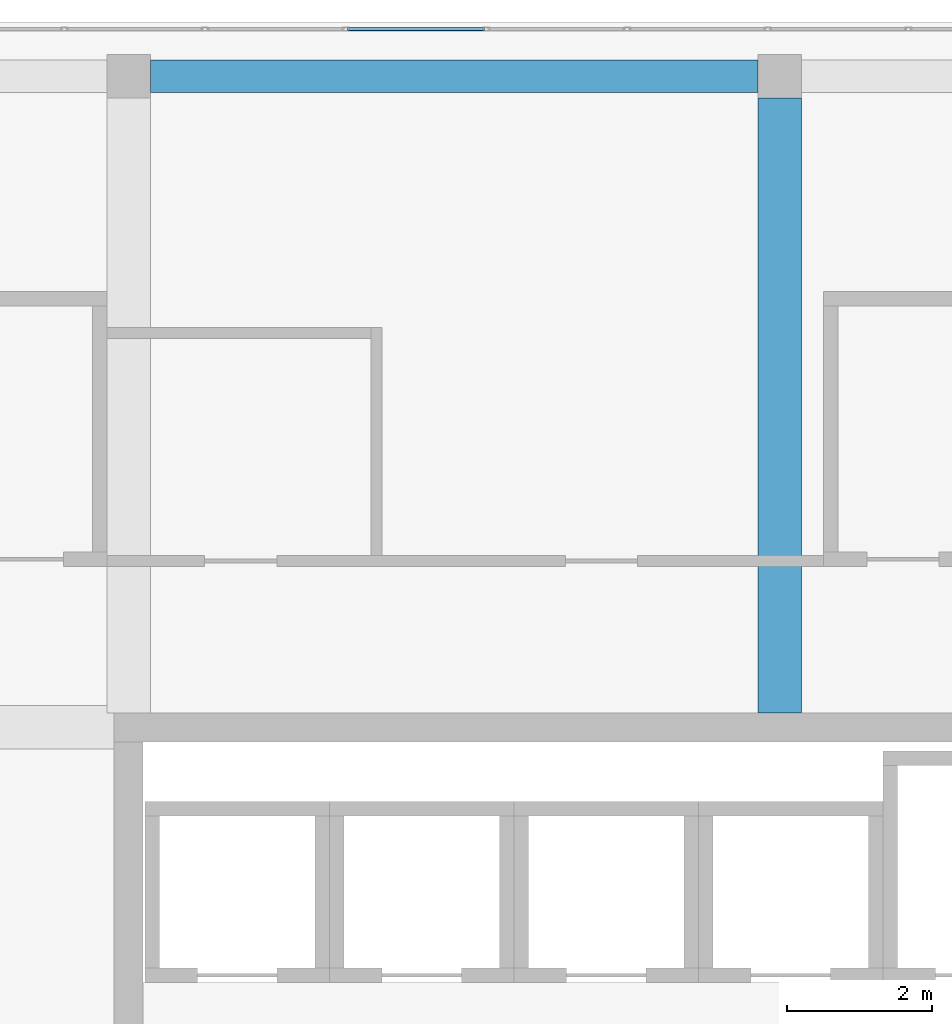
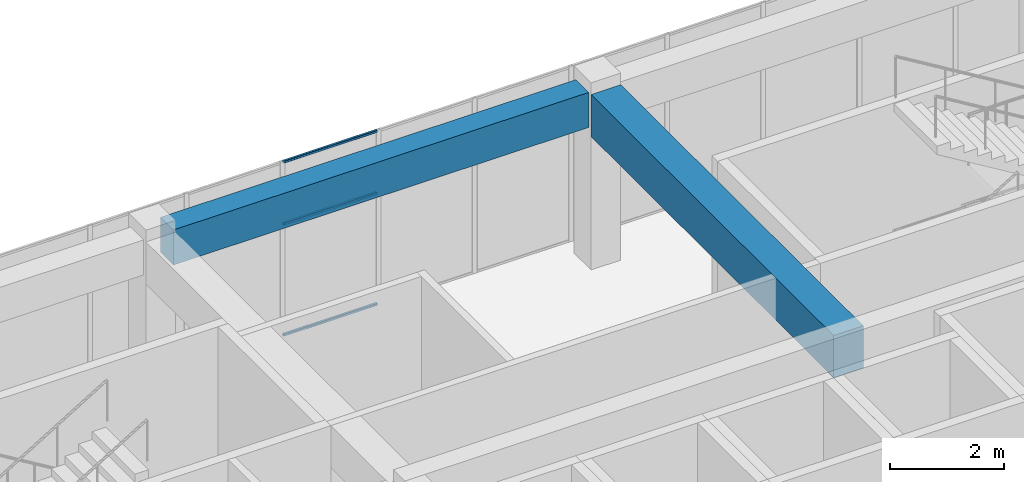
# One storey, part 25 of 35: 3 members, 2 beams, 1 element without a shape of its own.
"""IFC4 building model written with IfcOpenShell, lengths in metres."""

from ifc_helpers import new_model, si_unit, direction, frame, origin, origin_2d, place, context, subcontext, project, spatial, rectangle, hollow_rectangle, extrude, material, layer, layer_set, material_profile, profile_set, type_object, element, aggregate, save


model = new_model("IFC4")

# Units and contexts
model_context = context("Model", 3, precision=1e-05, world=origin(), true_north=direction((0.0, 1.0)))
body_context = subcontext(model_context, "Body", "Model", "MODEL_VIEW")
ifc_project = project(units=[si_unit("LENGTHUNIT", "METRE"), si_unit("AREAUNIT", "SQUARE_METRE"), si_unit("VOLUMEUNIT", "CUBIC_METRE"), si_unit("PLANEANGLEUNIT", "RADIAN"), si_unit("MASSUNIT", "GRAM", prefix="KILO")], contexts=[model_context])

# Site, building, storey
site_placement = place(None, origin())
site = spatial("IfcSite", under=ifc_project, at=site_placement, CompositionType="ELEMENT")
building_placement = place(site_placement, origin())
building = spatial("IfcBuilding", under=site, at=building_placement, Name="Tuart Plaza Theatre", CompositionType="ELEMENT")
storey_placement = place(building_placement, frame((0.0, 0.0, 45.5)))
storey = spatial("IfcBuildingStorey", under=building, at=storey_placement, Name="L11", CompositionType="ELEMENT", Elevation=45.5)

# Beams
ifc_material_1 = material(Name="Concrete N40 (40 MPa)", Category="concrete")
ifc_material_profile_1 = material_profile(ifc_material_1, rectangle(XDim=0.449951171875, YDim=0.75, at=origin_2d()), Name="BEAM 450x750 Concrete N40 (40 MPa)")
ifc_profile_set_1 = profile_set([ifc_material_profile_1], Name="Concrete N40 (40 MPa)")
beam_type_1 = type_object("IfcBeamType", Name="BEAM 450x750 Concrete N40 (40 MPa)", PredefinedType="BEAM", material=ifc_profile_set_1)
beam_1_placement = place(storey_placement, frame((123.300048828125, 92.0, 3.375), z_axis=(1.0, 0.0, 0.0), x_axis=(0.0, 1.0, 0.0)))
element("IfcBeam", 1, at=beam_1_placement, inside=storey, type_object=beam_type_1, Name="RB299", PredefinedType="BEAM", context=body_context, shape_type="SweptSolid", body=[
    extrude(rectangle(XDim=0.449951171875, YDim=0.75, at=origin_2d()), origin(), (0.0, 0.0, 1.0), 8.39990234375),
])
ifc_material_2 = material(Name="Concrete N40 (40 MPa)", Category="concrete")
ifc_material_profile_2 = material_profile(ifc_material_2, rectangle(XDim=0.60009765625, YDim=0.89990234375, at=origin_2d()), Name="BEAM 600x900 Concrete N40 (40 MPa)")
ifc_profile_set_2 = profile_set([ifc_material_profile_2], Name="Concrete N40 (40 MPa)")
beam_type_2 = type_object("IfcBeamType", Name="BEAM 600x900 Concrete N40 (40 MPa)", PredefinedType="BEAM", material=ifc_profile_set_2)
beam_2_placement = place(storey_placement, frame((132.0, 83.199951171875, 3.300048828125), z_axis=(0.0, 1.0, 0.0), x_axis=(-1.0, 0.0, 0.0)))
element("IfcBeam", 2, at=beam_2_placement, inside=storey, type_object=beam_type_2, Name="RB302", PredefinedType="BEAM", context=body_context, shape_type="SweptSolid", body=[
    extrude(rectangle(XDim=0.60009765625, YDim=0.89990234375, at=origin_2d()), origin(), (0.0, 0.0, 1.0), 8.5),
])

# Curtain wall, members
ifc_material_3 = material(Name="Aluminium and glass", Category="aluminium")
ifc_layer = layer(ifc_material_3, 0.10009765625)
ifc_layer_set = layer_set([ifc_layer], Name="CURTAIN WALL 2000 module")
curtain_wall_type = type_object("IfcCurtainWallType", Name="CURTAIN WALL 2000 module", PredefinedType="NOTDEFINED", material=ifc_layer_set)
curtain_wall_placement = place(storey_placement, origin())
curtain_wall = element("IfcCurtainWall", 3, at=curtain_wall_placement, inside=storey, type_object=curtain_wall_type, Name="CW105", PredefinedType="NOTDEFINED")
ifc_material_4 = material(Name="Aluminium 6063-T5", Category="aluminium")
ifc_material_profile_3 = material_profile(ifc_material_4, hollow_rectangle(XDim=0.050048828125, YDim=0.050048828125, WallThickness=0.00390625, InnerFilletRadius=0.00390625, OuterFilletRadius=0.008056640625, at=origin_2d()), Name="RHS 50x50x4")
ifc_profile_set_3 = profile_set([ifc_material_profile_3], Name="Aluminium 6063-T5")
member_type = type_object("IfcMemberType", Name="TRANSOM RHS 50x50x4", PredefinedType="USERDEFINED", material=ifc_profile_set_3)
member_1_placement = place(storey_placement, frame((127.918701171875, 92.64990234375, 0.02490234375), z_axis=(-1.0, 0.0, 0.0), x_axis=(0.0, -1.0, 0.0)))
member_1 = element("IfcMember", 4, at=member_1_placement, type_object=member_type, Name="CW105 transom 8.1", ObjectType="TRANSOM", PredefinedType="USERDEFINED", context=body_context, shape_type="SweptSolid", body=[
    extrude(hollow_rectangle(XDim=0.050048828125, YDim=0.050048828125, WallThickness=0.00390625, InnerFilletRadius=0.00390625, OuterFilletRadius=0.008056640625, at=origin_2d()), origin(), (0.0, 0.0, 1.0), 1.893798828125),
])
member_2_placement = place(storey_placement, frame((127.918701171875, 92.64990234375, 2.39990234375), z_axis=(-1.0, 0.0, 0.0), x_axis=(0.0, -1.0, 0.0)))
member_2 = element("IfcMember", 5, at=member_2_placement, type_object=member_type, Name="CW105 transom 8.2", ObjectType="TRANSOM", PredefinedType="USERDEFINED", context=body_context, shape_type="SweptSolid", body=[
    extrude(hollow_rectangle(XDim=0.050048828125, YDim=0.050048828125, WallThickness=0.00390625, InnerFilletRadius=0.00390625, OuterFilletRadius=0.008056640625, at=origin_2d()), origin(), (0.0, 0.0, 1.0), 1.893798828125),
])
member_3_placement = place(storey_placement, frame((127.918701171875, 92.64990234375, 3.72509765625), z_axis=(-1.0, 0.0, 0.0), x_axis=(0.0, -1.0, 0.0)))
member_3 = element("IfcMember", 6, at=member_3_placement, type_object=member_type, Name="CW105 transom 8.3", ObjectType="TRANSOM", PredefinedType="USERDEFINED", context=body_context, shape_type="SweptSolid", body=[
    extrude(hollow_rectangle(XDim=0.050048828125, YDim=0.050048828125, WallThickness=0.00390625, InnerFilletRadius=0.00390625, OuterFilletRadius=0.008056640625, at=origin_2d()), origin(), (0.0, 0.0, 1.0), 1.893798828125),
])
aggregate(curtain_wall, [member_1, member_2, member_3])

save(model, "model.ifc")
